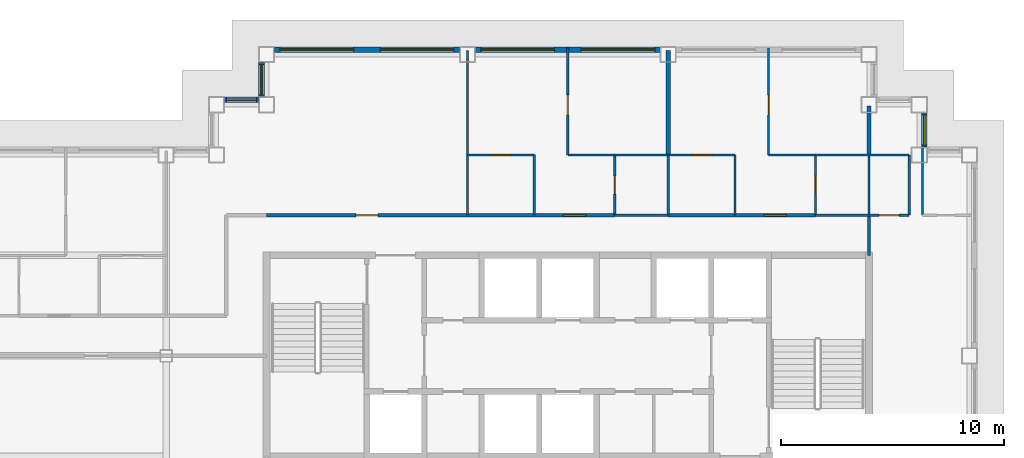
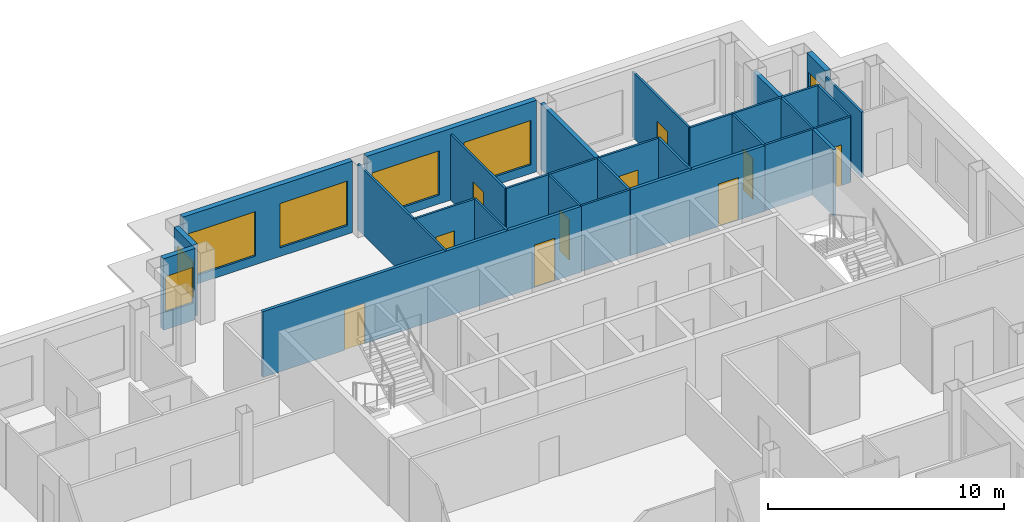
# One storey, part 7 of 12: 31 walls, 10 doors, 7 windows, 17 openings.
"""IFC4 building model written with IfcOpenShell, lengths in metres."""

from ifc_helpers import new_model, si_unit, direction, frame, frame_2d, origin, place, context, subcontext, project, spatial, rectangle, extrude, material, layer, layer_set, type_object, element, fill, save


model = new_model("IFC4")

# Units and contexts
model_context = context("Model", 3, precision=1e-05, world=origin(), true_north=direction((0.0, 1.0)))
body_context = subcontext(model_context, "Body", "Model", "MODEL_VIEW")
ifc_project = project(units=[si_unit("LENGTHUNIT", "METRE"), si_unit("AREAUNIT", "SQUARE_METRE"), si_unit("VOLUMEUNIT", "CUBIC_METRE"), si_unit("PLANEANGLEUNIT", "RADIAN"), si_unit("MASSUNIT", "GRAM", prefix="KILO")], contexts=[model_context])

# Site, building, storey
site_placement = place(None, origin())
site = spatial("IfcSite", under=ifc_project, at=site_placement, CompositionType="ELEMENT")
building_placement = place(site_placement, origin())
building = spatial("IfcBuilding", under=site, at=building_placement, Name="Caravel Reach Hotel and Residences", CompositionType="ELEMENT")
storey_placement = place(building_placement, frame((0.0, 0.0, 199.800048828125)))
storey = spatial("IfcBuildingStorey", under=building, at=storey_placement, Name="L50", CompositionType="ELEMENT", Elevation=199.800048828125)

# Walls
ifc_material_1 = material(Name="Gypsum board on steel stud", Category="steel")
ifc_layer_1 = layer(ifc_material_1, 0.10009765625)
ifc_layer_set_1 = layer_set([ifc_layer_1], Name="Bathroom pod wall 100 mm")
wall_type_1 = type_object("IfcWallType", Name="Bathroom pod wall 100 mm", PredefinedType="PARTITIONING", material=ifc_layer_set_1)
for number, where, z_axis, x_axis, name in (
    (1, (33.60009765625, 33.300048828125, 0.0), (0.0, 0.0, 1.0), (1.0, 0.0, 0.0), "L50 wall w083"),
    (2, (42.60009765625, 33.300048828125, 0.0), (0.0, 0.0, 1.0), (1.0, 0.0, 0.0), "L50 wall w084"),
    (3, (33.60009765625, 36.0, 0.0), (0.0, 0.0, 1.0), (1.0, 0.0, 0.0), "L50 wall w086"),
    (4, (42.60009765625, 36.0, 0.0), (0.0, 0.0, 1.0), (1.0, 0.0, 0.0), "L50 wall w087"),
):
    element("IfcWall", number, at=place(storey_placement, frame(where, z_axis=z_axis, x_axis=x_axis)), inside=storey, type_object=wall_type_1, Name=name, PredefinedType="PARTITIONING", context=body_context, shape_type="SweptSolid", body=[
        extrude(rectangle(XDim=2.39990234375, YDim=0.10009765625, at=frame_2d((1.199951171875, 0.0))), origin(), (0.0, 0.0, 1.0), 3.39990234375),
    ])

# Wall, opening, door
wall_1_placement = place(storey_placement, frame((33.60009765625, 33.300048828125, 0.0), z_axis=(0.0, 0.0, 1.0), x_axis=(0.0, 1.0, 0.0)))
wall_1 = element("IfcWall", 5, at=wall_1_placement, inside=storey, type_object=wall_type_1, Name="L50 wall w098", PredefinedType="PARTITIONING", context=body_context, shape_type="SweptSolid", body=[
    extrude(rectangle(XDim=2.699951171875, YDim=0.10009765625, at=frame_2d((1.35009765625, 0.0))), origin(), (0.0, 0.0, 1.0), 3.39990234375),
])
opening_1_placement = place(wall_1_placement, frame((0.949951171875, 0.0, 0.0)))
opening_1 = element("IfcOpeningElement", 6, at=opening_1_placement, cuts=wall_1, Name="Opening D50-020", PredefinedType="OPENING", context=body_context, shape_type="SweptSolid", body=[
    extrude(rectangle(XDim=0.800048828125, YDim=2.10009765625, at=frame_2d((0.39990234375, 1.050048828125))), frame((0.0, 0.06005859375, 0.0), z_axis=(0.0, -1.0, 0.0), x_axis=(1.0, 0.0, 0.0)), (0.0, 0.0, 1.0), 0.1201171875),
])
ifc_material_2 = material(Name="Timber and steel door leaf", Category="steel")
door_type_1 = type_object("IfcDoorType", Name="Bathroom door 800 x 2100", OperationType="SINGLE_SWING_LEFT", PredefinedType="DOOR", material=ifc_material_2)
door_1_placement = place(opening_1_placement, origin())
door_1 = element("IfcDoor", 7, at=door_1_placement, inside=storey, type_object=door_type_1, Name="door D50-020", OperationType="SINGLE_SWING_LEFT", OverallHeight=2.10009765625, OverallWidth=0.800048828125, PredefinedType="DOOR", context=body_context, shape_type="SweptSolid", body=[
    extrude(rectangle(XDim=0.800048828125, YDim=2.10009765625, at=frame_2d((0.39990234375, 1.050048828125))), frame((0.0, 0.02490234375, 0.0), z_axis=(0.0, -1.0, 0.0), x_axis=(1.0, 0.0, 0.0)), (0.0, 0.0, 1.0), 0.050048828125),
])
fill(opening_1, door_1)

# Wall
wall_2_placement = place(storey_placement, frame((36.0, 33.300048828125, 0.0), z_axis=(0.0, 0.0, 1.0), x_axis=(0.0, 1.0, 0.0)))
element("IfcWall", 8, at=wall_2_placement, inside=storey, type_object=wall_type_1, Name="L50 wall w099", PredefinedType="PARTITIONING", context=body_context, shape_type="SweptSolid", body=[
    extrude(rectangle(XDim=2.699951171875, YDim=0.10009765625, at=frame_2d((1.35009765625, 0.0))), origin(), (0.0, 0.0, 1.0), 3.39990234375),
])

# Wall, opening, door
wall_3_placement = place(storey_placement, frame((42.60009765625, 33.300048828125, 0.0), z_axis=(0.0, 0.0, 1.0), x_axis=(0.0, 1.0, 0.0)))
wall_3 = element("IfcWall", 9, at=wall_3_placement, inside=storey, type_object=wall_type_1, Name="L50 wall w104", PredefinedType="PARTITIONING", context=body_context, shape_type="SweptSolid", body=[
    extrude(rectangle(XDim=2.699951171875, YDim=0.10009765625, at=frame_2d((1.35009765625, 0.0))), origin(), (0.0, 0.0, 1.0), 3.39990234375),
])
opening_2_placement = place(wall_3_placement, frame((0.949951171875, 0.0, 0.0)))
opening_2 = element("IfcOpeningElement", 10, at=opening_2_placement, cuts=wall_3, Name="Opening D50-024", PredefinedType="OPENING", context=body_context, shape_type="SweptSolid", body=[
    extrude(rectangle(XDim=0.800048828125, YDim=2.10009765625, at=frame_2d((0.39990234375, 1.050048828125))), frame((0.0, 0.06005859375, 0.0), z_axis=(0.0, -1.0, 0.0), x_axis=(1.0, 0.0, 0.0)), (0.0, 0.0, 1.0), 0.1201171875),
])
door_2_placement = place(opening_2_placement, origin())
door_2 = element("IfcDoor", 11, at=door_2_placement, inside=storey, type_object=door_type_1, Name="door D50-024", OperationType="SINGLE_SWING_RIGHT", OverallHeight=2.10009765625, OverallWidth=0.800048828125, PredefinedType="DOOR", context=body_context, shape_type="SweptSolid", body=[
    extrude(rectangle(XDim=0.800048828125, YDim=2.10009765625, at=frame_2d((0.39990234375, 1.050048828125))), frame((0.0, 0.02490234375, 0.0), z_axis=(0.0, -1.0, 0.0), x_axis=(1.0, 0.0, 0.0)), (0.0, 0.0, 1.0), 0.050048828125),
])
fill(opening_2, door_2)

# Walls
wall_4_placement = place(storey_placement, frame((45.0, 33.300048828125, 0.0), z_axis=(0.0, 0.0, 1.0), x_axis=(0.0, 1.0, 0.0)))
element("IfcWall", 12, at=wall_4_placement, inside=storey, type_object=wall_type_1, Name="L50 wall w105", PredefinedType="PARTITIONING", context=body_context, shape_type="SweptSolid", body=[
    extrude(rectangle(XDim=2.699951171875, YDim=0.10009765625, at=frame_2d((1.35009765625, 0.0))), origin(), (0.0, 0.0, 1.0), 3.39990234375),
])
wall_5_placement = place(storey_placement, frame((47.39990234375, 33.300048828125, 0.0), z_axis=(0.0, 0.0, 1.0), x_axis=(0.0, 1.0, 0.0)))
element("IfcWall", 13, at=wall_5_placement, inside=storey, type_object=wall_type_1, Name="L50 wall w106", PredefinedType="PARTITIONING", context=body_context, shape_type="SweptSolid", body=[
    extrude(rectangle(XDim=3.050048828125, YDim=0.10009765625, at=frame_2d((1.52490234375, 0.0))), origin(), (0.0, 0.0, 1.0), 3.39990234375),
])

# Wall, openings, doors
ifc_material_3 = material(Name="Gypsum board on steel stud, fire-rated", Category="steel")
ifc_layer_2 = layer(ifc_material_3, 0.14990234375)
ifc_layer_set_2 = layer_set([ifc_layer_2], Name="Corridor wall 150 mm EI 60")
wall_type_2 = type_object("IfcWallType", Name="Corridor wall 150 mm EI 60", PredefinedType="PARTITIONING", material=ifc_layer_set_2)
wall_6_placement = place(storey_placement, frame((18.0, 33.300048828125, 0.0), z_axis=(0.0, 0.0, 1.0), x_axis=(1.0, 0.0, 0.0)))
wall_6 = element("IfcWall", 14, at=wall_6_placement, inside=storey, type_object=wall_type_2, Name="L50 wall w012", PredefinedType="PARTITIONING", context=body_context, shape_type="SweptSolid", body=[
    extrude(rectangle(XDim=15.60009765625, YDim=0.14990234375, at=frame_2d((7.800048828125, 0.0))), origin(), (0.0, 0.0, 1.0), 3.39990234375),
])
opening_3_placement = place(wall_6_placement, frame((4.0, 0.0, 0.0)))
opening_3 = element("IfcOpeningElement", 15, at=opening_3_placement, cuts=wall_6, Name="Opening D50-017", PredefinedType="OPENING", context=body_context, shape_type="SweptSolid", body=[
    extrude(rectangle(XDim=1.0, YDim=2.10009765625, at=frame_2d((0.5, 1.050048828125))), frame((0.0, 0.0849609375, 0.0), z_axis=(0.0, -1.0, 0.0), x_axis=(1.0, 0.0, 0.0)), (0.0, 0.0, 1.0), 0.169921875),
])
opening_4_placement = place(wall_6_placement, frame((13.300048828125, 0.0, 0.0)))
opening_4 = element("IfcOpeningElement", 16, at=opening_4_placement, cuts=wall_6, Name="Opening D50-018", PredefinedType="OPENING", context=body_context, shape_type="SweptSolid", body=[
    extrude(rectangle(XDim=1.0, YDim=2.199951171875, at=frame_2d((0.5, 1.10009765625))), frame((0.0, 0.0849609375, 0.0), z_axis=(0.0, -1.0, 0.0), x_axis=(1.0, 0.0, 0.0)), (0.0, 0.0, 1.0), 0.169921875),
])
ifc_material_4 = material(Name="Steel fire door leaf", Category="steel")
door_type_2 = type_object("IfcDoorType", Name="Fire door 1000 x 2100 EI 60", OperationType="SINGLE_SWING_LEFT", PredefinedType="DOOR", material=ifc_material_4)
door_3_placement = place(opening_3_placement, origin())
door_3 = element("IfcDoor", 17, at=door_3_placement, inside=storey, type_object=door_type_2, Name="door D50-017", OperationType="SINGLE_SWING_LEFT", OverallHeight=2.10009765625, OverallWidth=1.0, PredefinedType="DOOR", context=body_context, shape_type="SweptSolid", body=[
    extrude(rectangle(XDim=1.0, YDim=2.10009765625, at=frame_2d((0.5, 1.050048828125))), frame((0.0, 0.02490234375, 0.0), z_axis=(0.0, -1.0, 0.0), x_axis=(1.0, 0.0, 0.0)), (0.0, 0.0, 1.0), 0.050048828125),
])
fill(opening_3, door_3)
ifc_material_5 = material(Name="Steel fire door leaf", Category="steel")
door_type_3 = type_object("IfcDoorType", Name="Flat entrance door 1000 x 2200 EI 60", OperationType="SINGLE_SWING_LEFT", PredefinedType="DOOR", material=ifc_material_5)
door_4_placement = place(opening_4_placement, origin())
door_4 = element("IfcDoor", 18, at=door_4_placement, inside=storey, type_object=door_type_3, Name="door D50-018", OperationType="SINGLE_SWING_RIGHT", OverallHeight=2.199951171875, OverallWidth=1.0, PredefinedType="DOOR", context=body_context, shape_type="SweptSolid", body=[
    extrude(rectangle(XDim=1.0, YDim=2.199951171875, at=frame_2d((0.5, 1.10009765625))), frame((0.0, 0.02490234375, 0.0), z_axis=(0.0, -1.0, 0.0), x_axis=(1.0, 0.0, 0.0)), (0.0, 0.0, 1.0), 0.050048828125),
])
fill(opening_4, door_4)

# Wall, opening, door
wall_7_placement = place(storey_placement, frame((36.0, 33.300048828125, 0.0), z_axis=(0.0, 0.0, 1.0), x_axis=(1.0, 0.0, 0.0)))
wall_7 = element("IfcWall", 19, at=wall_7_placement, inside=storey, type_object=wall_type_2, Name="L50 wall w016", PredefinedType="PARTITIONING", context=body_context, shape_type="SweptSolid", body=[
    extrude(rectangle(XDim=6.60009765625, YDim=0.14990234375, at=frame_2d((3.300048828125, 0.0))), origin(), (0.0, 0.0, 1.0), 3.39990234375),
])
opening_5_placement = place(wall_7_placement, frame((4.300048828125, 0.0, 0.0)))
opening_5 = element("IfcOpeningElement", 20, at=opening_5_placement, cuts=wall_7, Name="Opening D50-022", PredefinedType="OPENING", context=body_context, shape_type="SweptSolid", body=[
    extrude(rectangle(XDim=1.0, YDim=2.199951171875, at=frame_2d((0.5, 1.10009765625))), frame((0.0, 0.0849609375, 0.0), z_axis=(0.0, -1.0, 0.0), x_axis=(1.0, 0.0, 0.0)), (0.0, 0.0, 1.0), 0.169921875),
])
door_5_placement = place(opening_5_placement, origin())
door_5 = element("IfcDoor", 21, at=door_5_placement, inside=storey, type_object=door_type_3, Name="door D50-022", OperationType="SINGLE_SWING_LEFT", OverallHeight=2.199951171875, OverallWidth=1.0, PredefinedType="DOOR", context=body_context, shape_type="SweptSolid", body=[
    extrude(rectangle(XDim=1.0, YDim=2.199951171875, at=frame_2d((0.5, 1.10009765625))), frame((0.0, 0.02490234375, 0.0), z_axis=(0.0, -1.0, 0.0), x_axis=(1.0, 0.0, 0.0)), (0.0, 0.0, 1.0), 0.050048828125),
])
fill(opening_5, door_5)

# Wall
wall_8_placement = place(storey_placement, frame((45.0, 31.5, 0.0), z_axis=(0.0, 0.0, 1.0), x_axis=(0.0, 1.0, 0.0)))
element("IfcWall", 22, at=wall_8_placement, inside=storey, type_object=wall_type_2, Name="L50 wall w027", PredefinedType="PARTITIONING", context=body_context, shape_type="SweptSolid", body=[
    extrude(rectangle(XDim=1.800048828125, YDim=0.14990234375, at=frame_2d((0.89990234375, 0.0))), origin(), (0.0, 0.0, 1.0), 3.39990234375),
])

# Wall, opening, window
ifc_material_6 = material(Name="Insulated rainscreen wall, aluminium cladding", Category="aluminium")
ifc_layer_3 = layer(ifc_material_6, 0.25)
ifc_layer_set_3 = layer_set([ifc_layer_3], Name="EW1 Tower rainscreen wall")
wall_type_3 = type_object("IfcWallType", Name="EW1 Tower rainscreen wall", PredefinedType="SOLIDWALL", material=ifc_layer_set_3)
wall_9_placement = place(storey_placement, frame((47.47509765625, 36.35009765625, 0.0), z_axis=(0.0, 0.0, 1.0), x_axis=(0.0, 1.0, 0.0)))
wall_9 = element("IfcWall", 23, at=wall_9_placement, inside=storey, type_object=wall_type_3, Name="External wall L50 E8.1", PredefinedType="SOLIDWALL", context=body_context, shape_type="SweptSolid", body=[
    extrude(rectangle(XDim=1.5498046875, YDim=0.25, at=frame_2d((0.77490234375, 0.0))), origin(), (0.0, 0.0, 1.0), 3.699951171875),
])
opening_6_placement = place(wall_9_placement, frame((0.10009765625, 0.0, 0.89990234375)))
opening_6 = element("IfcOpeningElement", 24, at=opening_6_placement, cuts=wall_9, Name="Opening WN21", PredefinedType="OPENING", context=body_context, shape_type="SweptSolid", body=[
    extrude(rectangle(XDim=1.35009765625, YDim=1.85009765625, at=frame_2d((0.675048828125, 0.925048828125))), frame((0.0, 0.135009765625, 0.0), z_axis=(0.0, -1.0, 0.0), x_axis=(1.0, 0.0, 0.0)), (0.0, 0.0, 1.0), 0.27001953125),
])
ifc_material_7 = material(Name="Dark low-e glazing in black aluminium frame", Category="aluminium")
window_type_1 = type_object("IfcWindowType", Name="Residence bedroom window 1350 x 1850", PartitioningType="SINGLE_PANEL", PredefinedType="WINDOW", material=ifc_material_7)
window_1_placement = place(opening_6_placement, origin())
window_1 = element("IfcWindow", 25, at=window_1_placement, inside=storey, type_object=window_type_1, Name="Window L50 E8.1.1", OverallHeight=1.85009765625, OverallWidth=1.35009765625, PartitioningType="SINGLE_PANEL", PredefinedType="WINDOW", context=body_context, shape_type="SweptSolid", body=[
    extrude(rectangle(XDim=1.35009765625, YDim=1.85009765625, at=frame_2d((0.675048828125, 0.925048828125))), frame((0.0, 0.030029296875, 0.0), z_axis=(0.0, -1.0, 0.0), x_axis=(1.0, 0.0, 0.0)), (0.0, 0.0, 1.0), 0.06005859375),
])
fill(opening_6, window_1)

# Wall, openings, windows
wall_10_placement = place(storey_placement, frame((35.64990234375, 40.72509765625, 0.0), z_axis=(0.0, 0.0, 1.0), x_axis=(-1.0, 0.0, 0.0)))
wall_10 = element("IfcWall", 26, at=wall_10_placement, inside=storey, type_object=wall_type_3, Name="External wall L50 N11.2", PredefinedType="SOLIDWALL", context=body_context, shape_type="SweptSolid", body=[
    extrude(rectangle(XDim=8.2998046875, YDim=0.25, at=frame_2d((4.14990234375, 0.0))), origin(), (0.0, 0.0, 1.0), 3.699951171875),
])
opening_7_placement = place(wall_10_placement, frame((0.25, 0.0, 0.449951171875)))
opening_7 = element("IfcOpeningElement", 27, at=opening_7_placement, cuts=wall_10, Name="Opening WN15", PredefinedType="OPENING", context=body_context, shape_type="SweptSolid", body=[
    extrude(rectangle(XDim=3.300048828125, YDim=2.300048828125, at=frame_2d((1.64990234375, 1.14990234375))), frame((0.0, 0.135009765625, 0.0), z_axis=(0.0, -1.0, 0.0), x_axis=(1.0, 0.0, 0.0)), (0.0, 0.0, 1.0), 0.27001953125),
])
opening_8_placement = place(wall_10_placement, frame((4.75, 0.0, 0.449951171875)))
opening_8 = element("IfcOpeningElement", 28, at=opening_8_placement, cuts=wall_10, Name="Opening WN15", PredefinedType="OPENING", context=body_context, shape_type="SweptSolid", body=[
    extrude(rectangle(XDim=3.300048828125, YDim=2.300048828125, at=frame_2d((1.64990234375, 1.14990234375))), frame((0.0, 0.135009765625, 0.0), z_axis=(0.0, -1.0, 0.0), x_axis=(1.0, 0.0, 0.0)), (0.0, 0.0, 1.0), 0.27001953125),
])
ifc_material_8 = material(Name="Dark low-e glazing in black aluminium frame", Category="aluminium")
window_type_2 = type_object("IfcWindowType", Name="Residence living window 3300 x 2300", PartitioningType="SINGLE_PANEL", PredefinedType="WINDOW", material=ifc_material_8)
window_2_placement = place(opening_7_placement, origin())
window_2 = element("IfcWindow", 29, at=window_2_placement, inside=storey, type_object=window_type_2, Name="Window L50 N11.2.1", OverallHeight=2.300048828125, OverallWidth=3.300048828125, PartitioningType="SINGLE_PANEL", PredefinedType="WINDOW", context=body_context, shape_type="SweptSolid", body=[
    extrude(rectangle(XDim=3.300048828125, YDim=2.300048828125, at=frame_2d((1.64990234375, 1.14990234375))), frame((0.0, 0.030029296875, 0.0), z_axis=(0.0, -1.0, 0.0), x_axis=(1.0, 0.0, 0.0)), (0.0, 0.0, 1.0), 0.06005859375),
])
fill(opening_7, window_2)
window_3_placement = place(opening_8_placement, origin())
window_3 = element("IfcWindow", 30, at=window_3_placement, inside=storey, type_object=window_type_2, Name="Window L50 N11.2.2", OverallHeight=2.300048828125, OverallWidth=3.300048828125, PartitioningType="SINGLE_PANEL", PredefinedType="WINDOW", context=body_context, shape_type="SweptSolid", body=[
    extrude(rectangle(XDim=3.300048828125, YDim=2.300048828125, at=frame_2d((1.64990234375, 1.14990234375))), frame((0.0, 0.030029296875, 0.0), z_axis=(0.0, -1.0, 0.0), x_axis=(1.0, 0.0, 0.0)), (0.0, 0.0, 1.0), 0.06005859375),
])
fill(opening_8, window_3)

wall_11_placement = place(storey_placement, frame((26.64990234375, 40.72509765625, 0.0), z_axis=(0.0, 0.0, 1.0), x_axis=(-1.0, 0.0, 0.0)))
wall_11 = element("IfcWall", 31, at=wall_11_placement, inside=storey, type_object=wall_type_3, Name="External wall L50 N11.3", PredefinedType="SOLIDWALL", context=body_context, shape_type="SweptSolid", body=[
    extrude(rectangle(XDim=8.2998046875, YDim=0.25, at=frame_2d((4.14990234375, 0.0))), origin(), (0.0, 0.0, 1.0), 3.699951171875),
])
opening_9_placement = place(wall_11_placement, frame((0.25, 0.0, 0.449951171875)))
opening_9 = element("IfcOpeningElement", 32, at=opening_9_placement, cuts=wall_11, Name="Opening WN15", PredefinedType="OPENING", context=body_context, shape_type="SweptSolid", body=[
    extrude(rectangle(XDim=3.300048828125, YDim=2.300048828125, at=frame_2d((1.64990234375, 1.14990234375))), frame((0.0, 0.135009765625, 0.0), z_axis=(0.0, -1.0, 0.0), x_axis=(1.0, 0.0, 0.0)), (0.0, 0.0, 1.0), 0.27001953125),
])
opening_10_placement = place(wall_11_placement, frame((4.75, 0.0, 0.449951171875)))
opening_10 = element("IfcOpeningElement", 33, at=opening_10_placement, cuts=wall_11, Name="Opening WN15", PredefinedType="OPENING", context=body_context, shape_type="SweptSolid", body=[
    extrude(rectangle(XDim=3.300048828125, YDim=2.300048828125, at=frame_2d((1.64990234375, 1.14990234375))), frame((0.0, 0.135009765625, 0.0), z_axis=(0.0, -1.0, 0.0), x_axis=(1.0, 0.0, 0.0)), (0.0, 0.0, 1.0), 0.27001953125),
])
window_4_placement = place(opening_9_placement, origin())
window_4 = element("IfcWindow", 34, at=window_4_placement, inside=storey, type_object=window_type_2, Name="Window L50 N11.3.1", OverallHeight=2.300048828125, OverallWidth=3.300048828125, PartitioningType="SINGLE_PANEL", PredefinedType="WINDOW", context=body_context, shape_type="SweptSolid", body=[
    extrude(rectangle(XDim=3.300048828125, YDim=2.300048828125, at=frame_2d((1.64990234375, 1.14990234375))), frame((0.0, 0.030029296875, 0.0), z_axis=(0.0, -1.0, 0.0), x_axis=(1.0, 0.0, 0.0)), (0.0, 0.0, 1.0), 0.06005859375),
])
fill(opening_9, window_4)
window_5_placement = place(opening_10_placement, origin())
window_5 = element("IfcWindow", 35, at=window_5_placement, inside=storey, type_object=window_type_2, Name="Window L50 N11.3.2", OverallHeight=2.300048828125, OverallWidth=3.300048828125, PartitioningType="SINGLE_PANEL", PredefinedType="WINDOW", context=body_context, shape_type="SweptSolid", body=[
    extrude(rectangle(XDim=3.300048828125, YDim=2.300048828125, at=frame_2d((1.64990234375, 1.14990234375))), frame((0.0, 0.030029296875, 0.0), z_axis=(0.0, -1.0, 0.0), x_axis=(1.0, 0.0, 0.0)), (0.0, 0.0, 1.0), 0.06005859375),
])
fill(opening_10, window_5)

# Wall, opening, window
wall_12_placement = place(storey_placement, frame((17.77490234375, 40.14990234375, 0.0), z_axis=(0.0, 0.0, 1.0), x_axis=(0.0, -1.0, 0.0)))
wall_12 = element("IfcWall", 36, at=wall_12_placement, inside=storey, type_object=wall_type_3, Name="External wall L50 W12.1", PredefinedType="SOLIDWALL", context=body_context, shape_type="SweptSolid", body=[
    extrude(rectangle(XDim=1.5498046875, YDim=0.25, at=frame_2d((0.77490234375, 0.0))), origin(), (0.0, 0.0, 1.0), 3.699951171875),
])
opening_11_placement = place(wall_12_placement, frame((0.10009765625, 0.0, 0.89990234375)))
opening_11 = element("IfcOpeningElement", 37, at=opening_11_placement, cuts=wall_12, Name="Opening WN21", PredefinedType="OPENING", context=body_context, shape_type="SweptSolid", body=[
    extrude(rectangle(XDim=1.35009765625, YDim=1.85009765625, at=frame_2d((0.675048828125, 0.925048828125))), frame((0.0, 0.135009765625, 0.0), z_axis=(0.0, -1.0, 0.0), x_axis=(1.0, 0.0, 0.0)), (0.0, 0.0, 1.0), 0.27001953125),
])
window_6_placement = place(opening_11_placement, origin())
window_6 = element("IfcWindow", 38, at=window_6_placement, inside=storey, type_object=window_type_1, Name="Window L50 W12.1.1", OverallHeight=1.85009765625, OverallWidth=1.35009765625, PartitioningType="SINGLE_PANEL", PredefinedType="WINDOW", context=body_context, shape_type="SweptSolid", body=[
    extrude(rectangle(XDim=1.35009765625, YDim=1.85009765625, at=frame_2d((0.675048828125, 0.925048828125))), frame((0.0, 0.030029296875, 0.0), z_axis=(0.0, -1.0, 0.0), x_axis=(1.0, 0.0, 0.0)), (0.0, 0.0, 1.0), 0.06005859375),
])
fill(opening_11, window_6)

wall_13_placement = place(storey_placement, frame((17.64990234375, 38.47509765625, 0.0), z_axis=(0.0, 0.0, 1.0), x_axis=(-1.0, 0.0, 0.0)))
wall_13 = element("IfcWall", 39, at=wall_13_placement, inside=storey, type_object=wall_type_3, Name="External wall L50 N13.1", PredefinedType="SOLIDWALL", context=body_context, shape_type="SweptSolid", body=[
    extrude(rectangle(XDim=1.5498046875, YDim=0.25, at=frame_2d((0.77490234375, 0.0))), origin(), (0.0, 0.0, 1.0), 3.699951171875),
])
opening_12_placement = place(wall_13_placement, frame((0.10009765625, 0.0, 0.89990234375)))
opening_12 = element("IfcOpeningElement", 40, at=opening_12_placement, cuts=wall_13, Name="Opening WN21", PredefinedType="OPENING", context=body_context, shape_type="SweptSolid", body=[
    extrude(rectangle(XDim=1.35009765625, YDim=1.85009765625, at=frame_2d((0.675048828125, 0.925048828125))), frame((0.0, 0.135009765625, 0.0), z_axis=(0.0, -1.0, 0.0), x_axis=(1.0, 0.0, 0.0)), (0.0, 0.0, 1.0), 0.27001953125),
])
window_7_placement = place(opening_12_placement, origin())
window_7 = element("IfcWindow", 41, at=window_7_placement, inside=storey, type_object=window_type_1, Name="Window L50 N13.1.1", OverallHeight=1.85009765625, OverallWidth=1.35009765625, PartitioningType="SINGLE_PANEL", PredefinedType="WINDOW", context=body_context, shape_type="SweptSolid", body=[
    extrude(rectangle(XDim=1.35009765625, YDim=1.85009765625, at=frame_2d((0.675048828125, 0.925048828125))), frame((0.0, 0.030029296875, 0.0), z_axis=(0.0, -1.0, 0.0), x_axis=(1.0, 0.0, 0.0)), (0.0, 0.0, 1.0), 0.06005859375),
])
fill(opening_12, window_7)

# Wall, opening, door
ifc_material_9 = material(Name="Gypsum board on steel stud", Category="steel")
ifc_layer_4 = layer(ifc_material_9, 0.10009765625)
ifc_layer_set_4 = layer_set([ifc_layer_4], Name="Partition 100 mm")
wall_type_4 = type_object("IfcWallType", Name="Partition 100 mm", PredefinedType="PARTITIONING", material=ifc_layer_set_4)
wall_14_placement = place(storey_placement, frame((45.0, 33.300048828125, 0.0), z_axis=(0.0, 0.0, 1.0), x_axis=(1.0, 0.0, 0.0)))
wall_14 = element("IfcWall", 42, at=wall_14_placement, inside=storey, type_object=wall_type_4, Name="L50 wall w039", PredefinedType="PARTITIONING", context=body_context, shape_type="SweptSolid", body=[
    extrude(rectangle(XDim=1.800048828125, YDim=0.10009765625, at=frame_2d((0.89990234375, 0.0))), origin(), (0.0, 0.0, 1.0), 3.39990234375),
])
opening_13_placement = place(wall_14_placement, frame((0.449951171875, 0.0, 0.0)))
opening_13 = element("IfcOpeningElement", 43, at=opening_13_placement, cuts=wall_14, Name="Opening D50-048", PredefinedType="OPENING", context=body_context, shape_type="SweptSolid", body=[
    extrude(rectangle(XDim=0.89990234375, YDim=2.10009765625, at=frame_2d((0.449951171875, 1.050048828125))), frame((0.0, 0.06005859375, 0.0), z_axis=(0.0, -1.0, 0.0), x_axis=(1.0, 0.0, 0.0)), (0.0, 0.0, 1.0), 0.1201171875),
])
ifc_material_10 = material(Name="Timber and steel door leaf", Category="steel")
door_type_4 = type_object("IfcDoorType", Name="Door 900 x 2100 timber", OperationType="SINGLE_SWING_LEFT", PredefinedType="DOOR", material=ifc_material_10)
door_6_placement = place(opening_13_placement, origin())
door_6 = element("IfcDoor", 44, at=door_6_placement, inside=storey, type_object=door_type_4, Name="door D50-048", OperationType="SINGLE_SWING_LEFT", OverallHeight=2.10009765625, OverallWidth=0.89990234375, PredefinedType="DOOR", context=body_context, shape_type="SweptSolid", body=[
    extrude(rectangle(XDim=0.89990234375, YDim=2.10009765625, at=frame_2d((0.449951171875, 1.050048828125))), frame((0.0, 0.02490234375, 0.0), z_axis=(0.0, -1.0, 0.0), x_axis=(1.0, 0.0, 0.0)), (0.0, 0.0, 1.0), 0.050048828125),
])
fill(opening_13, door_6)

# Wall
wall_15_placement = place(storey_placement, frame((31.5, 36.0, 0.0), z_axis=(0.0, 0.0, 1.0), x_axis=(1.0, 0.0, 0.0)))
element("IfcWall", 45, at=wall_15_placement, inside=storey, type_object=wall_type_4, Name="L50 wall w040", PredefinedType="PARTITIONING", context=body_context, shape_type="SweptSolid", body=[
    extrude(rectangle(XDim=2.10009765625, YDim=0.10009765625, at=frame_2d((1.050048828125, 0.0))), origin(), (0.0, 0.0, 1.0), 3.39990234375),
])

# Wall, opening, door
wall_16_placement = place(storey_placement, frame((27.0, 36.0, 0.0), z_axis=(0.0, 0.0, 1.0), x_axis=(1.0, 0.0, 0.0)))
wall_16 = element("IfcWall", 46, at=wall_16_placement, inside=storey, type_object=wall_type_4, Name="L50 wall w041", PredefinedType="PARTITIONING", context=body_context, shape_type="SweptSolid", body=[
    extrude(rectangle(XDim=3.0, YDim=0.10009765625, at=frame_2d((1.5, 0.0))), origin(), (0.0, 0.0, 1.0), 3.39990234375),
])
opening_14_placement = place(wall_16_placement, frame((1.050048828125, 0.0, 0.0)))
opening_14 = element("IfcOpeningElement", 47, at=opening_14_placement, cuts=wall_16, Name="Opening D50-019", PredefinedType="OPENING", context=body_context, shape_type="SweptSolid", body=[
    extrude(rectangle(XDim=0.89990234375, YDim=2.10009765625, at=frame_2d((0.449951171875, 1.050048828125))), frame((0.0, 0.06005859375, 0.0), z_axis=(0.0, -1.0, 0.0), x_axis=(1.0, 0.0, 0.0)), (0.0, 0.0, 1.0), 0.1201171875),
])
door_7_placement = place(opening_14_placement, origin())
door_7 = element("IfcDoor", 48, at=door_7_placement, inside=storey, type_object=door_type_4, Name="door D50-019", OperationType="SINGLE_SWING_LEFT", OverallHeight=2.10009765625, OverallWidth=0.89990234375, PredefinedType="DOOR", context=body_context, shape_type="SweptSolid", body=[
    extrude(rectangle(XDim=0.89990234375, YDim=2.10009765625, at=frame_2d((0.449951171875, 1.050048828125))), frame((0.0, 0.02490234375, 0.0), z_axis=(0.0, -1.0, 0.0), x_axis=(1.0, 0.0, 0.0)), (0.0, 0.0, 1.0), 0.050048828125),
])
fill(opening_14, door_7)

# Wall
wall_17_placement = place(storey_placement, frame((40.5, 36.0, 0.0), z_axis=(0.0, 0.0, 1.0), x_axis=(1.0, 0.0, 0.0)))
element("IfcWall", 49, at=wall_17_placement, inside=storey, type_object=wall_type_4, Name="L50 wall w042", PredefinedType="PARTITIONING", context=body_context, shape_type="SweptSolid", body=[
    extrude(rectangle(XDim=2.10009765625, YDim=0.10009765625, at=frame_2d((1.050048828125, 0.0))), origin(), (0.0, 0.0, 1.0), 3.39990234375),
])

# Wall, opening, door
wall_18_placement = place(storey_placement, frame((36.0, 36.0, 0.0), z_axis=(0.0, 0.0, 1.0), x_axis=(1.0, 0.0, 0.0)))
wall_18 = element("IfcWall", 50, at=wall_18_placement, inside=storey, type_object=wall_type_4, Name="L50 wall w043", PredefinedType="PARTITIONING", context=body_context, shape_type="SweptSolid", body=[
    extrude(rectangle(XDim=3.0, YDim=0.10009765625, at=frame_2d((1.5, 0.0))), origin(), (0.0, 0.0, 1.0), 3.39990234375),
])
opening_15_placement = place(wall_18_placement, frame((1.050048828125, 0.0, 0.0)))
opening_15 = element("IfcOpeningElement", 51, at=opening_15_placement, cuts=wall_18, Name="Opening D50-023", PredefinedType="OPENING", context=body_context, shape_type="SweptSolid", body=[
    extrude(rectangle(XDim=0.89990234375, YDim=2.10009765625, at=frame_2d((0.449951171875, 1.050048828125))), frame((0.0, 0.06005859375, 0.0), z_axis=(0.0, -1.0, 0.0), x_axis=(1.0, 0.0, 0.0)), (0.0, 0.0, 1.0), 0.1201171875),
])
door_8_placement = place(opening_15_placement, origin())
door_8 = element("IfcDoor", 52, at=door_8_placement, inside=storey, type_object=door_type_4, Name="door D50-023", OperationType="SINGLE_SWING_LEFT", OverallHeight=2.10009765625, OverallWidth=0.89990234375, PredefinedType="DOOR", context=body_context, shape_type="SweptSolid", body=[
    extrude(rectangle(XDim=0.89990234375, YDim=2.10009765625, at=frame_2d((0.449951171875, 1.050048828125))), frame((0.0, 0.02490234375, 0.0), z_axis=(0.0, -1.0, 0.0), x_axis=(1.0, 0.0, 0.0)), (0.0, 0.0, 1.0), 0.050048828125),
])
fill(opening_15, door_8)

# Walls
wall_19_placement = place(storey_placement, frame((45.0, 36.0, 0.0), z_axis=(0.0, 0.0, 1.0), x_axis=(1.0, 0.0, 0.0)))
element("IfcWall", 53, at=wall_19_placement, inside=storey, type_object=wall_type_4, Name="L50 wall w044", PredefinedType="PARTITIONING", context=body_context, shape_type="SweptSolid", body=[
    extrude(rectangle(XDim=1.800048828125, YDim=0.10009765625, at=frame_2d((0.89990234375, 0.0))), origin(), (0.0, 0.0, 1.0), 3.39990234375),
])
wall_20_placement = place(storey_placement, frame((27.0, 33.300048828125, 0.0), z_axis=(0.0, 0.0, 1.0), x_axis=(0.0, 1.0, 0.0)))
element("IfcWall", 54, at=wall_20_placement, inside=storey, type_object=wall_type_4, Name="L50 wall w054", PredefinedType="PARTITIONING", context=body_context, shape_type="SweptSolid", body=[
    extrude(rectangle(XDim=7.389892578125, YDim=0.10009765625, at=frame_2d((3.69482421875, 0.0))), origin(), (0.0, 0.0, 1.0), 3.39990234375),
])
wall_21_placement = place(storey_placement, frame((30.0, 33.300048828125, 0.0), z_axis=(0.0, 0.0, 1.0), x_axis=(0.0, 1.0, 0.0)))
element("IfcWall", 55, at=wall_21_placement, inside=storey, type_object=wall_type_4, Name="L50 wall w057", PredefinedType="PARTITIONING", context=body_context, shape_type="SweptSolid", body=[
    extrude(rectangle(XDim=2.699951171875, YDim=0.10009765625, at=frame_2d((1.35009765625, 0.0))), origin(), (0.0, 0.0, 1.0), 3.39990234375),
])

# Wall, opening, door
wall_22_placement = place(storey_placement, frame((31.5, 36.0, 0.0), z_axis=(0.0, 0.0, 1.0), x_axis=(0.0, 1.0, 0.0)))
wall_22 = element("IfcWall", 56, at=wall_22_placement, inside=storey, type_object=wall_type_4, Name="L50 wall w058", PredefinedType="PARTITIONING", context=body_context, shape_type="SweptSolid", body=[
    extrude(rectangle(XDim=4.7900390625, YDim=0.10009765625, at=frame_2d((2.39501953125, 0.0))), origin(), (0.0, 0.0, 1.0), 3.39990234375),
])
opening_16_placement = place(wall_22_placement, frame((1.800048828125, 0.0, 0.0)))
opening_16 = element("IfcOpeningElement", 57, at=opening_16_placement, cuts=wall_22, Name="Opening D50-021", PredefinedType="OPENING", context=body_context, shape_type="SweptSolid", body=[
    extrude(rectangle(XDim=0.89990234375, YDim=2.10009765625, at=frame_2d((0.449951171875, 1.050048828125))), frame((0.0, 0.06005859375, 0.0), z_axis=(0.0, -1.0, 0.0), x_axis=(1.0, 0.0, 0.0)), (0.0, 0.0, 1.0), 0.1201171875),
])
door_9_placement = place(opening_16_placement, origin())
door_9 = element("IfcDoor", 58, at=door_9_placement, inside=storey, type_object=door_type_4, Name="door D50-021", OperationType="SINGLE_SWING_LEFT", OverallHeight=2.10009765625, OverallWidth=0.89990234375, PredefinedType="DOOR", context=body_context, shape_type="SweptSolid", body=[
    extrude(rectangle(XDim=0.89990234375, YDim=2.10009765625, at=frame_2d((0.449951171875, 1.050048828125))), frame((0.0, 0.02490234375, 0.0), z_axis=(0.0, -1.0, 0.0), x_axis=(1.0, 0.0, 0.0)), (0.0, 0.0, 1.0), 0.050048828125),
])
fill(opening_16, door_9)

# Wall
wall_23_placement = place(storey_placement, frame((39.0, 33.300048828125, 0.0), z_axis=(0.0, 0.0, 1.0), x_axis=(0.0, 1.0, 0.0)))
element("IfcWall", 59, at=wall_23_placement, inside=storey, type_object=wall_type_4, Name="L50 wall w063", PredefinedType="PARTITIONING", context=body_context, shape_type="SweptSolid", body=[
    extrude(rectangle(XDim=2.699951171875, YDim=0.10009765625, at=frame_2d((1.35009765625, 0.0))), origin(), (0.0, 0.0, 1.0), 3.39990234375),
])

# Wall, opening, door
wall_24_placement = place(storey_placement, frame((40.5, 36.0, 0.0), z_axis=(0.0, 0.0, 1.0), x_axis=(0.0, 1.0, 0.0)))
wall_24 = element("IfcWall", 60, at=wall_24_placement, inside=storey, type_object=wall_type_4, Name="L50 wall w065", PredefinedType="PARTITIONING", context=body_context, shape_type="SweptSolid", body=[
    extrude(rectangle(XDim=4.7900390625, YDim=0.10009765625, at=frame_2d((2.39501953125, 0.0))), origin(), (0.0, 0.0, 1.0), 3.39990234375),
])
opening_17_placement = place(wall_24_placement, frame((1.800048828125, 0.0, 0.0)))
opening_17 = element("IfcOpeningElement", 61, at=opening_17_placement, cuts=wall_24, Name="Opening D50-025", PredefinedType="OPENING", context=body_context, shape_type="SweptSolid", body=[
    extrude(rectangle(XDim=0.89990234375, YDim=2.10009765625, at=frame_2d((0.449951171875, 1.050048828125))), frame((0.0, 0.06005859375, 0.0), z_axis=(0.0, -1.0, 0.0), x_axis=(1.0, 0.0, 0.0)), (0.0, 0.0, 1.0), 0.1201171875),
])
door_10_placement = place(opening_17_placement, origin())
door_10 = element("IfcDoor", 62, at=door_10_placement, inside=storey, type_object=door_type_4, Name="door D50-025", OperationType="SINGLE_SWING_RIGHT", OverallHeight=2.10009765625, OverallWidth=0.89990234375, PredefinedType="DOOR", context=body_context, shape_type="SweptSolid", body=[
    extrude(rectangle(XDim=0.89990234375, YDim=2.10009765625, at=frame_2d((0.449951171875, 1.050048828125))), frame((0.0, 0.02490234375, 0.0), z_axis=(0.0, -1.0, 0.0), x_axis=(1.0, 0.0, 0.0)), (0.0, 0.0, 1.0), 0.050048828125),
])
fill(opening_17, door_10)

# Walls
wall_25_placement = place(storey_placement, frame((46.800048828125, 33.300048828125, 0.0), z_axis=(0.0, 0.0, 1.0), x_axis=(0.0, 1.0, 0.0)))
element("IfcWall", 63, at=wall_25_placement, inside=storey, type_object=wall_type_4, Name="L50 wall w068", PredefinedType="PARTITIONING", context=body_context, shape_type="SweptSolid", body=[
    extrude(rectangle(XDim=2.699951171875, YDim=0.10009765625, at=frame_2d((1.35009765625, 0.0))), origin(), (0.0, 0.0, 1.0), 3.39990234375),
])
ifc_material_11 = material(Name="Autoclaved aerated block wall")
ifc_layer_5 = layer(ifc_material_11, 0.199951171875)
ifc_layer_set_5 = layer_set([ifc_layer_5], Name="Party wall 200 mm EI 60")
wall_type_5 = type_object("IfcWallType", Name="Party wall 200 mm EI 60", PredefinedType="PARTITIONING", material=ifc_layer_set_5)
wall_26_placement = place(storey_placement, frame((36.0, 36.0, 0.0), z_axis=(0.0, 0.0, 1.0), x_axis=(0.0, 1.0, 0.0)))
element("IfcWall", 64, at=wall_26_placement, inside=storey, type_object=wall_type_5, Name="L50 wall w074", PredefinedType="PARTITIONING", context=body_context, shape_type="SweptSolid", body=[
    extrude(rectangle(XDim=4.68994140625, YDim=0.199951171875, at=frame_2d((2.344970703125, 0.0))), origin(), (0.0, 0.0, 1.0), 3.39990234375),
])
wall_27_placement = place(storey_placement, frame((45.0, 36.0, 0.0), z_axis=(0.0, 0.0, 1.0), x_axis=(0.0, 1.0, 0.0)))
element("IfcWall", 65, at=wall_27_placement, inside=storey, type_object=wall_type_5, Name="L50 wall w076", PredefinedType="PARTITIONING", context=body_context, shape_type="SweptSolid", body=[
    extrude(rectangle(XDim=2.199951171875, YDim=0.199951171875, at=frame_2d((1.10009765625, 0.0))), origin(), (0.0, 0.0, 1.0), 3.39990234375),
])

save(model, "model.ifc")
